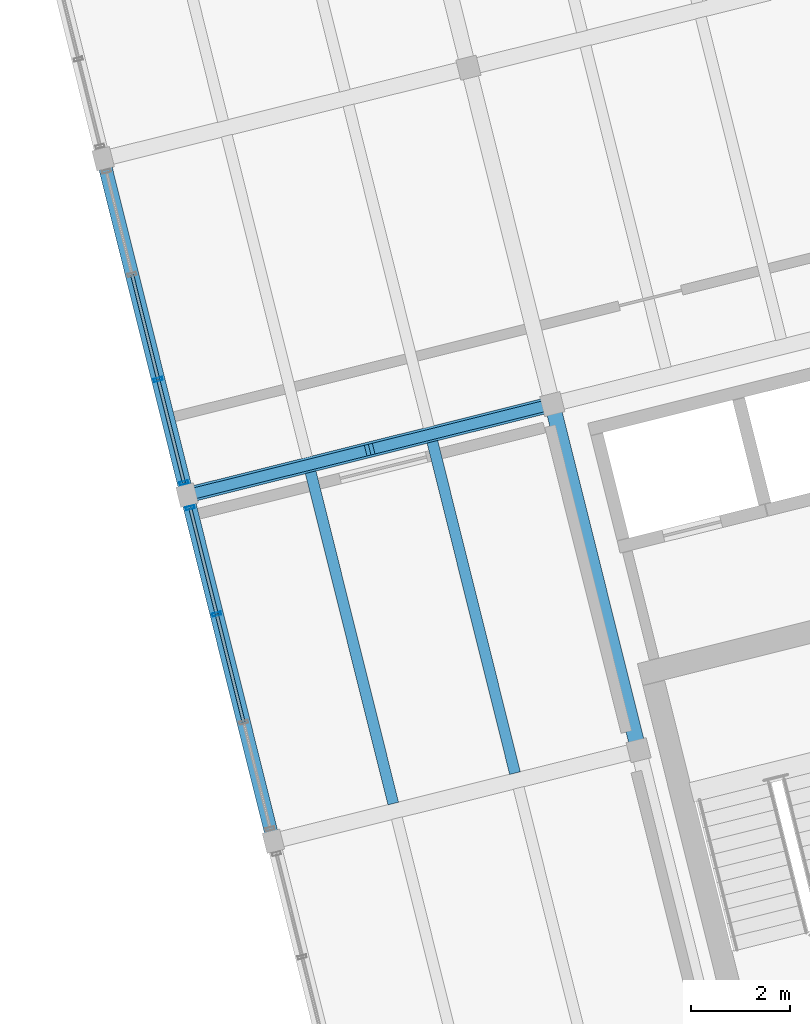
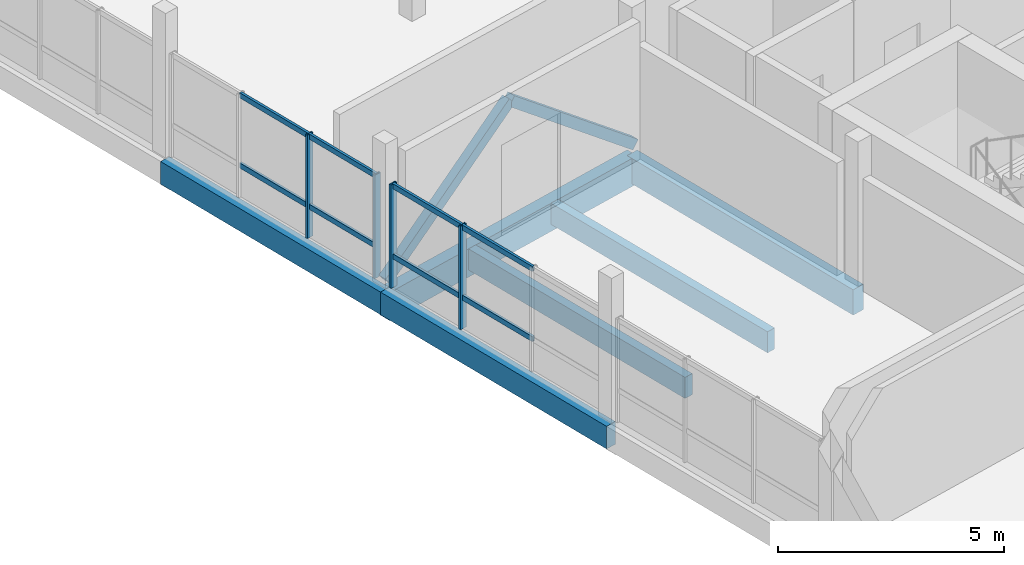
# One storey, part 7 of 28: 14 members, 6 beams, 2 elements without a shape of their own.
"""IFC4 building model written with IfcOpenShell, lengths in metres."""

from ifc_helpers import new_model, si_unit, direction, frame, origin, origin_2d, place, context, subcontext, project, spatial, rectangle, hollow_rectangle, extrude, material, layer, layer_set, material_profile, profile_set, type_object, element, aggregate, save


model = new_model("IFC4")

# Units and contexts
model_context = context("Model", 3, precision=1e-05, world=origin(), true_north=direction((0.0, 1.0)))
body_context = subcontext(model_context, "Body", "Model", "MODEL_VIEW")
ifc_project = project(units=[si_unit("LENGTHUNIT", "METRE"), si_unit("AREAUNIT", "SQUARE_METRE"), si_unit("VOLUMEUNIT", "CUBIC_METRE"), si_unit("PLANEANGLEUNIT", "RADIAN"), si_unit("MASSUNIT", "GRAM", prefix="KILO")], contexts=[model_context])

# Site, building, storey
site_placement = place(None, origin())
site = spatial("IfcSite", under=ifc_project, at=site_placement, CompositionType="ELEMENT")
building_placement = place(site_placement, origin())
building = spatial("IfcBuilding", under=site, at=building_placement, Name="Meriwether Solvik Hall", CompositionType="ELEMENT")
storey_placement = place(building_placement, frame((0.0, 0.0, 30.0)))
storey = spatial("IfcBuildingStorey", under=building, at=storey_placement, Name="L07", CompositionType="ELEMENT", Elevation=30.0)

# Beams
ifc_material_1 = material(Name="Glulam Douglas-Fir 24F-V8 GL28h", Category="wood")
ifc_material_profile_1 = material_profile(ifc_material_1, rectangle(XDim=0.27294921875, YDim=0.610107421875, at=origin_2d()), Name="GLB-273X610")
ifc_profile_set_1 = profile_set([ifc_material_profile_1], Name="Glulam Douglas-Fir 24F-V8 GL28h")
beam_type_1 = type_object("IfcBeamType", Name="BM-GL-273X610", PredefinedType="SPANDREL", material=ifc_profile_set_1)
beam_1_placement = place(storey_placement, frame((65.261474609375, 54.590087890625, -0.52490234375), z_axis=(-0.241937193493, 0.970291911955, 0.0), x_axis=(-0.970291911955, -0.241937193493, 0.0)))
element("IfcBeam", 1, at=beam_1_placement, inside=storey, type_object=beam_type_1, Name="Tower Girder T1:TC-TD (L07)", PredefinedType="SPANDREL", context=body_context, shape_type="SweptSolid", body=[
    extrude(rectangle(XDim=0.27294921875, YDim=0.610107421875, at=origin_2d()), origin(), (0.0, 0.0, 1.0), 7.199951171875),
])
beam_2_placement = place(storey_placement, frame((63.51953125, 61.576171875, -0.52490234375), z_axis=(-0.241911879182, 0.970298223594, 0.0), x_axis=(-0.970298223594, -0.241911879182, 0.0)))
element("IfcBeam", 2, at=beam_2_placement, inside=storey, type_object=beam_type_1, Name="Tower Girder T1:TD-TE (L07)", PredefinedType="SPANDREL", context=body_context, shape_type="SweptSolid", body=[
    extrude(rectangle(XDim=0.27294921875, YDim=0.610107421875, at=origin_2d()), origin(), (0.0, 0.0, 1.0), 7.0),
])
ifc_material_2 = material(Name="Glulam Douglas-Fir 24F-V8 GL28h", Category="wood")
ifc_material_profile_2 = material_profile(ifc_material_2, rectangle(XDim=0.31494140625, YDim=0.68505859375, at=origin_2d()), Name="GLB-315X685")
ifc_profile_set_2 = profile_set([ifc_material_profile_2], Name="Glulam Douglas-Fir 24F-V8 GL28h")
beam_type_2 = type_object("IfcBeamType", Name="BM-GL-315X685", PredefinedType="BEAM", material=ifc_profile_set_2)
beam_3_placement = place(storey_placement, frame((72.6357421875, 56.4287109375, -0.5625), z_axis=(-0.241937193493, 0.970291911955, 0.0), x_axis=(-0.970291911955, -0.241937193493, 0.0)))
element("IfcBeam", 3, at=beam_3_placement, inside=storey, type_object=beam_type_2, Name="Tower Girder T2:TC-TD (L07)", PredefinedType="BEAM", context=body_context, shape_type="SweptSolid", body=[
    extrude(rectangle(XDim=0.31494140625, YDim=0.68505859375, at=origin_2d()), origin(), (0.0, 0.0, 1.0), 7.199951171875),
])
ifc_material_3 = material(Name="Glulam Douglas-Fir 24F-V8 GL28h", Category="wood")
ifc_material_profile_3 = material_profile(ifc_material_3, rectangle(XDim=0.31494140625, YDim=0.760009765625, at=origin_2d()), Name="GLB-315X760")
ifc_profile_set_3 = profile_set([ifc_material_profile_3], Name="Glulam Douglas-Fir 24F-V8 GL28h")
beam_type_3 = type_object("IfcBeamType", Name="BM-GL-315X760", PredefinedType="BEAM", material=ifc_profile_set_3)
beam_4_placement = place(storey_placement, frame((63.51953125, 61.576171875, -0.60009765625), z_axis=(0.970295366785, 0.241923337436, 0.0), x_axis=(-0.241923337436, 0.970295366785, 0.0)))
element("IfcBeam", 4, at=beam_4_placement, inside=storey, type_object=beam_type_3, Name="Tower Girder TD:T1-T2 (L07)", PredefinedType="BEAM", context=body_context, shape_type="SweptSolid", body=[
    extrude(rectangle(XDim=0.31494140625, YDim=0.760009765625, at=origin_2d()), origin(), (0.0, 0.0, 1.0), 7.60009765625),
])

# Curtain wall, members
ifc_material_4 = material(Name="Thermally Broken Anodised Aluminium 6063-T6 and Low-E Glass", Category="aluminium")
ifc_layer_1 = layer(ifc_material_4, 0.179931640625)
ifc_layer_set_1 = layer_set([ifc_layer_1], Name="Thermally Broken Anodised Aluminium 6063-T6 and Low-E Glass")
curtain_wall_type_1 = type_object("IfcCurtainWallType", Name="CW-UNIT-E", PredefinedType="USERDEFINED", material=ifc_layer_set_1)
curtain_wall_1_placement = place(storey_placement, origin())
curtain_wall_1 = element("IfcCurtainWall", 5, at=curtain_wall_1_placement, inside=storey, type_object=curtain_wall_type_1, Name="Curtain Wall E5_B2 (L07)", ObjectType="UNITISED CURTAIN WALL", PredefinedType="USERDEFINED")
ifc_material_5 = material(Name="Anodised Aluminium 6063-T6", Category="aluminium")
ifc_material_profile_4 = material_profile(ifc_material_5, hollow_rectangle(XDim=0.06494140625, YDim=0.179931640625, WallThickness=0.00439453125, at=origin_2d()), Name="CWM-65X180")
ifc_profile_set_4 = profile_set([ifc_material_profile_4], Name="Anodised Aluminium 6063-T6")
member_type_1 = type_object("IfcMemberType", Name="CW-MUL-65X180", PredefinedType="MULLION", material=ifc_profile_set_4)
member_1_placement = place(storey_placement, frame((64.1181640625, 59.17578125, 0.0), z_axis=(0.0, 0.0, 1.0), x_axis=(-0.241921847539, 0.970295738259, 0.0)))
member_1 = element("IfcMember", 6, at=member_1_placement, type_object=member_type_1, Name="Curtain Wall Mullion 3", PredefinedType="MULLION", context=body_context, shape_type="SweptSolid", body=[
    extrude(hollow_rectangle(XDim=0.06494140625, YDim=0.179931640625, WallThickness=0.00439453125, at=origin_2d()), origin(), (0.0, 0.0, 1.0), 2.7900390625),
])
member_2_placement = place(storey_placement, frame((63.58251953125, 61.323974609375, 0.0), z_axis=(0.0, 0.0, 1.0), x_axis=(-0.241921847539, 0.970295738259, 0.0)))
member_2 = element("IfcMember", 7, at=member_2_placement, type_object=member_type_1, Name="Curtain Wall Mullion 4", PredefinedType="MULLION", context=body_context, shape_type="SweptSolid", body=[
    extrude(hollow_rectangle(XDim=0.06494140625, YDim=0.179931640625, WallThickness=0.00439453125, at=origin_2d()), origin(), (0.0, 0.0, 1.0), 2.7900390625),
])

ifc_material_6 = material(Name="Thermally Broken Anodised Aluminium 6063-T6 and Low-E Glass", Category="aluminium")
ifc_layer_2 = layer(ifc_material_6, 0.179931640625)
ifc_layer_set_2 = layer_set([ifc_layer_2], Name="Thermally Broken Anodised Aluminium 6063-T6 and Low-E Glass")
curtain_wall_type_2 = type_object("IfcCurtainWallType", Name="CW-UNIT-F", PredefinedType="USERDEFINED", material=ifc_layer_set_2)
curtain_wall_2_placement = place(storey_placement, origin())
curtain_wall_2 = element("IfcCurtainWall", 8, at=curtain_wall_2_placement, inside=storey, type_object=curtain_wall_type_2, Name="Curtain Wall E5_B3 (L07)", ObjectType="UNITISED CURTAIN WALL", PredefinedType="USERDEFINED")
member_3_placement = place(storey_placement, frame((63.456787109375, 61.828369140625, 0.0), z_axis=(0.0, 0.0, 1.0), x_axis=(-0.241921895312, 0.970295726348, 0.0)))
member_3 = element("IfcMember", 9, at=member_3_placement, type_object=member_type_1, Name="Curtain Wall Mullion 1", PredefinedType="MULLION", context=body_context, shape_type="SweptSolid", body=[
    extrude(hollow_rectangle(XDim=0.06494140625, YDim=0.179931640625, WallThickness=0.00439453125, at=origin_2d()), origin(), (0.0, 0.0, 1.0), 2.7900390625),
])
member_4_placement = place(storey_placement, frame((62.937255859375, 63.912109375, 0.0), z_axis=(0.0, 0.0, 1.0), x_axis=(-0.241921895312, 0.970295726348, 0.0)))
member_4 = element("IfcMember", 10, at=member_4_placement, type_object=member_type_1, Name="Curtain Wall Mullion 2", PredefinedType="MULLION", context=body_context, shape_type="SweptSolid", body=[
    extrude(hollow_rectangle(XDim=0.06494140625, YDim=0.179931640625, WallThickness=0.00439453125, at=origin_2d()), origin(), (0.0, 0.0, 1.0), 2.7900390625),
])

# Member
ifc_material_7 = material(Name="Anodised Aluminium 6063-T6", Category="aluminium")
ifc_material_profile_5 = material_profile(ifc_material_7, hollow_rectangle(XDim=0.06494140625, YDim=0.139892578125, WallThickness=0.00439453125, at=origin_2d()), Name="CWT-65X140")
ifc_profile_set_5 = profile_set([ifc_material_profile_5], Name="Anodised Aluminium 6063-T6")
member_type_2 = type_object("IfcMemberType", Name="CW-TRN-65X140", PredefinedType="USERDEFINED", material=ifc_profile_set_5)
member_5_placement = place(storey_placement, frame((64.662841796875, 56.990478515625, 0.8369140625), z_axis=(-0.241846886633, 0.970314425033, 0.0), x_axis=(-0.970314425033, -0.241846886633, 0.0)))
member_5 = element("IfcMember", 11, at=member_5_placement, type_object=member_type_2, Name="Curtain Wall Transom 2-sill", ObjectType="TRANSOM", PredefinedType="USERDEFINED", context=body_context, shape_type="SweptSolid", body=[
    extrude(hollow_rectangle(XDim=0.06494140625, YDim=0.139892578125, WallThickness=0.00439453125, at=origin_2d()), origin(), (0.0, 0.0, 1.0), 2.252197265625),
])

member_6_placement = place(storey_placement, frame((64.662841796875, 56.990478515625, 2.72998046875), z_axis=(-0.241846886633, 0.970314425033, 0.0), x_axis=(-0.970314425033, -0.241846886633, 0.0)))
member_6 = element("IfcMember", 12, at=member_6_placement, type_object=member_type_2, Name="Curtain Wall Transom 2-head", ObjectType="TRANSOM", PredefinedType="USERDEFINED", context=body_context, shape_type="SweptSolid", body=[
    extrude(hollow_rectangle(XDim=0.06494140625, YDim=0.139892578125, WallThickness=0.00439453125, at=origin_2d()), origin(), (0.0, 0.0, 1.0), 2.252197265625),
])

member_7_placement = place(storey_placement, frame((64.1181640625, 59.17578125, 0.8369140625), z_axis=(-0.241938808, 0.970291509385, 0.0), x_axis=(-0.970291509385, -0.241938808, 0.0)))
member_7 = element("IfcMember", 13, at=member_7_placement, type_object=member_type_2, Name="Curtain Wall Transom 3-sill", ObjectType="TRANSOM", PredefinedType="USERDEFINED", context=body_context, shape_type="SweptSolid", body=[
    extrude(hollow_rectangle(XDim=0.06494140625, YDim=0.139892578125, WallThickness=0.00439453125, at=origin_2d()), origin(), (0.0, 0.0, 1.0), 2.2138671875),
])

member_8_placement = place(storey_placement, frame((64.1181640625, 59.17578125, 2.72998046875), z_axis=(-0.241938808, 0.970291509385, 0.0), x_axis=(-0.970291509385, -0.241938808, 0.0)))
member_8 = element("IfcMember", 14, at=member_8_placement, type_object=member_type_2, Name="Curtain Wall Transom 3-head", ObjectType="TRANSOM", PredefinedType="USERDEFINED", context=body_context, shape_type="SweptSolid", body=[
    extrude(hollow_rectangle(XDim=0.06494140625, YDim=0.139892578125, WallThickness=0.00439453125, at=origin_2d()), origin(), (0.0, 0.0, 1.0), 2.2138671875),
])

aggregate(curtain_wall_1, [member_1, member_2, member_5, member_6, member_7, member_8])

member_9_placement = place(storey_placement, frame((63.456787109375, 61.828369140625, 0.8369140625), z_axis=(-0.241920343195, 0.970296113333, 0.0), x_axis=(-0.970296113333, -0.241920343195, 0.0)))
member_9 = element("IfcMember", 15, at=member_9_placement, type_object=member_type_2, Name="Curtain Wall Transom 1-sill", ObjectType="TRANSOM", PredefinedType="USERDEFINED", context=body_context, shape_type="SweptSolid", body=[
    extrude(hollow_rectangle(XDim=0.06494140625, YDim=0.139892578125, WallThickness=0.00439453125, at=origin_2d()), origin(), (0.0, 0.0, 1.0), 2.1474609375),
])

member_10_placement = place(storey_placement, frame((63.456787109375, 61.828369140625, 2.72998046875), z_axis=(-0.241920343195, 0.970296113333, 0.0), x_axis=(-0.970296113333, -0.241920343195, 0.0)))
member_10 = element("IfcMember", 16, at=member_10_placement, type_object=member_type_2, Name="Curtain Wall Transom 1-head", ObjectType="TRANSOM", PredefinedType="USERDEFINED", context=body_context, shape_type="SweptSolid", body=[
    extrude(hollow_rectangle(XDim=0.06494140625, YDim=0.139892578125, WallThickness=0.00439453125, at=origin_2d()), origin(), (0.0, 0.0, 1.0), 2.1474609375),
])

member_11_placement = place(storey_placement, frame((62.937255859375, 63.912109375, 0.8369140625), z_axis=(-0.241878380472, 0.97030657478, 0.0), x_axis=(-0.97030657478, -0.241878380472, 0.0)))
member_11 = element("IfcMember", 17, at=member_11_placement, type_object=member_type_2, Name="Curtain Wall Transom 2-sill", ObjectType="TRANSOM", PredefinedType="USERDEFINED", context=body_context, shape_type="SweptSolid", body=[
    extrude(hollow_rectangle(XDim=0.06494140625, YDim=0.139892578125, WallThickness=0.00439453125, at=origin_2d()), origin(), (0.0, 0.0, 1.0), 2.185302734375),
])

member_12_placement = place(storey_placement, frame((62.937255859375, 63.912109375, 2.72998046875), z_axis=(-0.241878380472, 0.97030657478, 0.0), x_axis=(-0.97030657478, -0.241878380472, 0.0)))
member_12 = element("IfcMember", 18, at=member_12_placement, type_object=member_type_2, Name="Curtain Wall Transom 2-head", ObjectType="TRANSOM", PredefinedType="USERDEFINED", context=body_context, shape_type="SweptSolid", body=[
    extrude(hollow_rectangle(XDim=0.06494140625, YDim=0.139892578125, WallThickness=0.00439453125, at=origin_2d()), origin(), (0.0, 0.0, 1.0), 2.185302734375),
])

aggregate(curtain_wall_2, [member_3, member_4, member_9, member_10, member_11, member_12])

# Beams
ifc_material_8 = material(Name="Glulam Douglas-Fir 24F-V8 GL28h", Category="wood")
ifc_material_profile_6 = material_profile(ifc_material_8, rectangle(XDim=0.221923828125, YDim=0.570068359375, at=origin_2d()), Name="GLJ-222X570")
ifc_profile_set_6 = profile_set([ifc_material_profile_6], Name="Glulam Douglas-Fir 24F-V8 GL28h")
beam_type_4 = type_object("IfcBeamType", Name="JST-GL-222X570", PredefinedType="JOIST", material=ifc_profile_set_6)
for number, where, z_axis, x_axis, name in (
    (19, (67.6826171875, 55.350830078125, -0.5048828125), (-0.241910719241, 0.970298512787, 0.0), (-0.970298512787, -0.241910719241, 0.0), "Glulam Floor Joist T1/TC-J1 (L07)"),
    (20, (70.140869140625, 55.9638671875, -0.5048828125), (-0.241944055158, 0.970290201009, 0.0), (-0.970290201009, -0.241944055158, 0.0), "Glulam Floor Joist T1/TC-J2 (L07)"),
):
    element("IfcBeam", number, at=place(storey_placement, frame(where, z_axis=z_axis, x_axis=x_axis)), inside=storey, type_object=beam_type_4, Name=name, PredefinedType="JOIST", context=body_context, shape_type="SweptSolid", body=[
        extrude(rectangle(XDim=0.221923828125, YDim=0.570068359375, at=origin_2d()), origin(), (0.0, 0.0, 1.0), 6.89501953125),
    ])

# Members
ifc_material_9 = material(Name="Glulam Douglas-Fir 24F-V8 GL28h", Category="wood")
ifc_material_profile_7 = material_profile(ifc_material_9, rectangle(XDim=0.221923828125, YDim=0.26708984375, at=origin_2d()), Name="GLM-222X267")
ifc_profile_set_7 = profile_set([ifc_material_profile_7], Name="Glulam Douglas-Fir 24F-V8 GL28h")
member_type_3 = type_object("IfcMemberType", Name="MEM-BR-GL222", PredefinedType="BRACE", material=ifc_profile_set_7)
member_13_placement = place(storey_placement, frame((63.51953125, 61.576171875, 0.050048828125), z_axis=(0.75915038306, 0.189297513249, 0.622781781508), x_axis=(-0.241946039438, 0.970289706222, 0.0)))
element("IfcMember", 21, at=member_13_placement, inside=storey, type_object=member_type_3, Name="Tower Chevron Brace L07-B2A", PredefinedType="BRACE", context=body_context, shape_type="SweptSolid", body=[
    extrude(rectangle(XDim=0.221923828125, YDim=0.26708984375, at=origin_2d()), origin(), (0.0, 0.0, 1.0), 4.857177734375),
])
member_14_placement = place(storey_placement, frame((70.893798828125, 63.414794921875, 0.050048828125), z_axis=(-0.759136307902, -0.189256270643, 0.622811472315), x_axis=(0.241900633533, -0.970301027257, 0.0)))
element("IfcMember", 22, at=member_14_placement, inside=storey, type_object=member_type_3, Name="Tower Chevron Brace L07-B2B", PredefinedType="BRACE", context=body_context, shape_type="SweptSolid", body=[
    extrude(rectangle(XDim=0.221923828125, YDim=0.26708984375, at=origin_2d()), origin(), (0.0, 0.0, 1.0), 4.85693359375),
])

save(model, "model.ifc")
